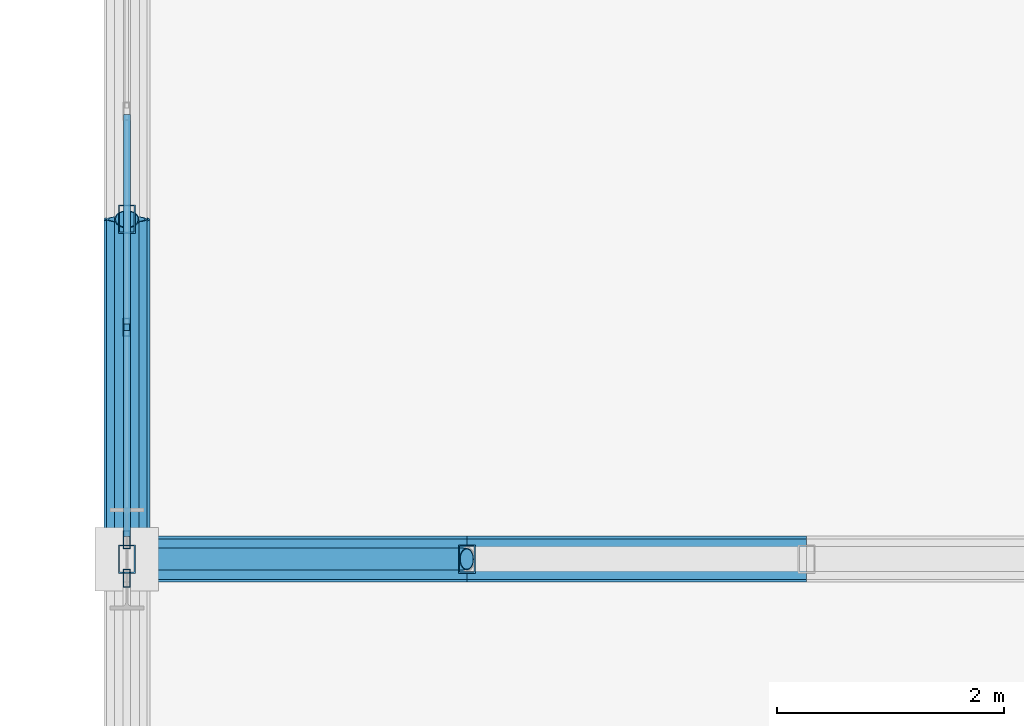
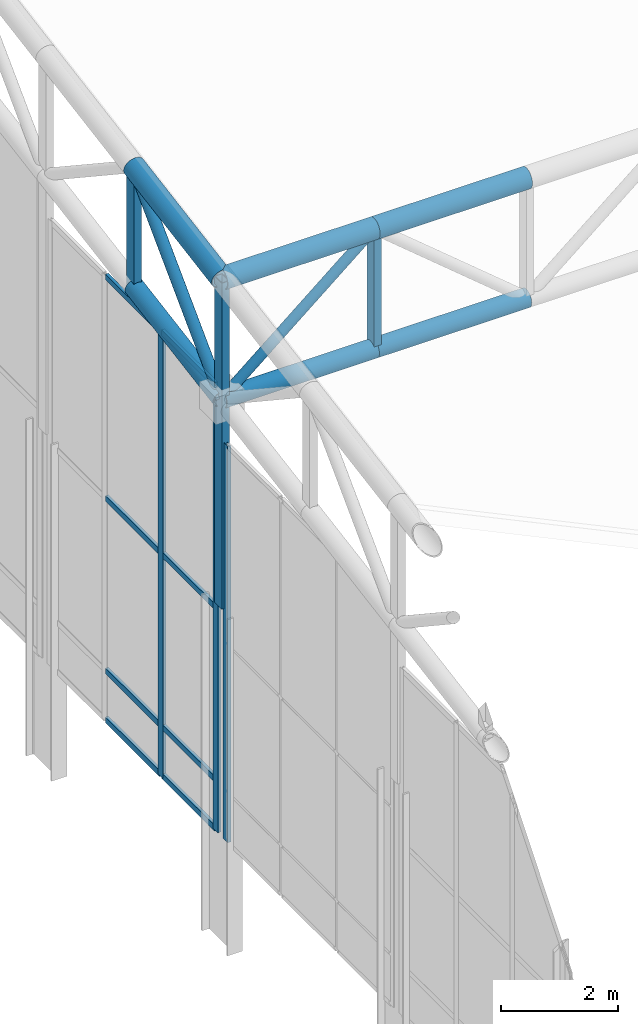
# One storey, part 75 of 239: 22 members, 2 elements without a shape of their own.
"""IFC4 building model written with IfcOpenShell, lengths in metres."""

from ifc_helpers import new_model, si_unit, direction, frame, origin, origin_2d, place, context, subcontext, project, spatial, hollow_rectangle, hollow_circle, extrude, material, material_profile, profile_set, type_object, element, aggregate, save


model = new_model("IFC4")

# Units and contexts
model_context = context("Model", 3, precision=1e-05, world=origin(), true_north=direction((0.0, 1.0)))
body_context = subcontext(model_context, "Body", "Model", "MODEL_VIEW")
ifc_project = project(units=[si_unit("LENGTHUNIT", "METRE"), si_unit("AREAUNIT", "SQUARE_METRE"), si_unit("VOLUMEUNIT", "CUBIC_METRE"), si_unit("PLANEANGLEUNIT", "RADIAN"), si_unit("MASSUNIT", "GRAM", prefix="KILO")], contexts=[model_context])

# Site, building, storey
site_placement = place(None, origin())
site = spatial("IfcSite", under=ifc_project, at=site_placement, CompositionType="ELEMENT")
building_placement = place(site_placement, origin())
building = spatial("IfcBuilding", under=site, at=building_placement, Name="Kaldris Quays Convention Centre", CompositionType="ELEMENT")
storey_placement = place(building_placement, frame((0.0, 0.0, 11.39990234375)))
storey = spatial("IfcBuildingStorey", under=building, at=storey_placement, Name="L02", CompositionType="ELEMENT", Elevation=11.39990234375)

# Curtain wall, member
ifc_material_1 = material(Name="Anodized aluminium AW-6060 and triple glazing", Category="aluminium")
curtain_wall_type = type_object("IfcCurtainWallType", Name="UNITISED CURTAIN WALL CW03", PredefinedType="NOTDEFINED", material=ifc_material_1)
curtain_wall_1_placement = place(storey_placement, origin())
curtain_wall_1 = element("IfcCurtainWall", 1, at=curtain_wall_1_placement, inside=storey, type_object=curtain_wall_type, Name="L02 Unitised Curtain Wall CW03 216", PredefinedType="NOTDEFINED")
ifc_material_2 = material(Name="Anodized aluminium AW-6060", Category="aluminium")
ifc_material_profile_1 = material_profile(ifc_material_2, hollow_rectangle(XDim=0.06005859375, YDim=0.159912109375, WallThickness=0.00390625, at=origin_2d()), Name="RHS 160x60x4")
ifc_profile_set_1 = profile_set([ifc_material_profile_1], Name="Anodized aluminium AW-6060")
member_type_1 = type_object("IfcMemberType", Name="CURTAIN MULLION CWM1", PredefinedType="MULLION", material=ifc_profile_set_1)
member_1_placement = place(storey_placement, frame((20.0, 79.830078125, 2.195068359375), z_axis=(0.0, 0.0, 1.0), x_axis=(-1.0, 0.0, 0.0)))
member_1 = element("IfcMember", 2, at=member_1_placement, type_object=member_type_1, Name="CW03 mullion 4", PredefinedType="MULLION", context=body_context, shape_type="SweptSolid", body=[
    extrude(hollow_rectangle(XDim=0.06005859375, YDim=0.159912109375, WallThickness=0.00390625, at=origin_2d()), origin(), (0.0, 0.0, 1.0), 8.255126953125),
])
aggregate(curtain_wall_1, [member_1])

# Curtain wall, members
curtain_wall_2_placement = place(storey_placement, origin())
curtain_wall_2 = element("IfcCurtainWall", 3, at=curtain_wall_2_placement, inside=storey, type_object=curtain_wall_type, Name="L02 Unitised Curtain Wall CW03 217", PredefinedType="NOTDEFINED")
member_2_placement = place(storey_placement, frame((20.0, 80.169921875, 2.195068359375), z_axis=(0.0, 0.0, 1.0), x_axis=(-1.0, 0.0, 0.0)))
member_2 = element("IfcMember", 4, at=member_2_placement, type_object=member_type_1, Name="CW03 mullion 1", PredefinedType="MULLION", context=body_context, shape_type="SweptSolid", body=[
    extrude(hollow_rectangle(XDim=0.06005859375, YDim=0.159912109375, WallThickness=0.00390625, at=origin_2d()), origin(), (0.0, 0.0, 1.0), 9.283935546875),
])
member_3_placement = place(storey_placement, frame((20.0, 82.046630859375, 2.195068359375), z_axis=(0.0, 0.0, 1.0), x_axis=(-1.0, 0.0, 0.0)))
member_3 = element("IfcMember", 5, at=member_3_placement, type_object=member_type_1, Name="CW03 mullion 2", PredefinedType="MULLION", context=body_context, shape_type="SweptSolid", body=[
    extrude(hollow_rectangle(XDim=0.06005859375, YDim=0.159912109375, WallThickness=0.00390625, at=origin_2d()), origin(), (0.0, 0.0, 1.0), 9.283935546875),
])
ifc_material_profile_2 = material_profile(ifc_material_2, hollow_rectangle(XDim=0.06005859375, YDim=0.1201171875, WallThickness=0.00390625, at=origin_2d()), Name="RHS 120x60x4")
ifc_profile_set_2 = profile_set([ifc_material_profile_2], Name="Anodized aluminium AW-6060")
member_type_2 = type_object("IfcMemberType", Name="CURTAIN TRANSOM CWT1", PredefinedType="USERDEFINED", material=ifc_profile_set_2)
member_4_placement = place(storey_placement, frame((20.0, 80.199951171875, 2.22509765625), z_axis=(0.0, 1.0, 0.0), x_axis=(-1.0, 0.0, 0.0)))
member_4 = element("IfcMember", 6, at=member_4_placement, type_object=member_type_2, Name="CW03 transom 1.1", ObjectType="TRANSOM", PredefinedType="USERDEFINED", context=body_context, shape_type="SweptSolid", body=[
    extrude(hollow_rectangle(XDim=0.06005859375, YDim=0.1201171875, WallThickness=0.00390625, at=origin_2d()), origin(), (0.0, 0.0, 1.0), 1.816650390625),
])
member_5_placement = place(storey_placement, frame((20.0, 80.199951171875, 3.2451171875), z_axis=(0.0, 1.0, 0.0), x_axis=(-1.0, 0.0, 0.0)))
member_5 = element("IfcMember", 7, at=member_5_placement, type_object=member_type_2, Name="CW03 transom 1.2", ObjectType="TRANSOM", PredefinedType="USERDEFINED", context=body_context, shape_type="SweptSolid", body=[
    extrude(hollow_rectangle(XDim=0.06005859375, YDim=0.1201171875, WallThickness=0.00390625, at=origin_2d()), origin(), (0.0, 0.0, 1.0), 1.816650390625),
])
member_6_placement = place(storey_placement, frame((20.0, 80.199951171875, 6.837158203125), z_axis=(0.0, 1.0, 0.0), x_axis=(-1.0, 0.0, 0.0)))
member_6 = element("IfcMember", 8, at=member_6_placement, type_object=member_type_2, Name="CW03 transom 1.3", ObjectType="TRANSOM", PredefinedType="USERDEFINED", context=body_context, shape_type="SweptSolid", body=[
    extrude(hollow_rectangle(XDim=0.06005859375, YDim=0.1201171875, WallThickness=0.00390625, at=origin_2d()), origin(), (0.0, 0.0, 1.0), 1.816650390625),
])
member_7_placement = place(storey_placement, frame((20.0, 80.199951171875, 11.44921875), z_axis=(0.0, 1.0, 0.0), x_axis=(-1.0, 0.0, 0.0)))
member_7 = element("IfcMember", 9, at=member_7_placement, type_object=member_type_2, Name="CW03 transom 1.4", ObjectType="TRANSOM", PredefinedType="USERDEFINED", context=body_context, shape_type="SweptSolid", body=[
    extrude(hollow_rectangle(XDim=0.06005859375, YDim=0.1201171875, WallThickness=0.00390625, at=origin_2d()), origin(), (0.0, 0.0, 1.0), 1.816650390625),
])
member_8_placement = place(storey_placement, frame((20.0, 82.07666015625, 2.22509765625), z_axis=(0.0, 1.0, 0.0), x_axis=(-1.0, 0.0, 0.0)))
member_8 = element("IfcMember", 10, at=member_8_placement, type_object=member_type_2, Name="CW03 transom 2.1", ObjectType="TRANSOM", PredefinedType="USERDEFINED", context=body_context, shape_type="SweptSolid", body=[
    extrude(hollow_rectangle(XDim=0.06005859375, YDim=0.1201171875, WallThickness=0.00390625, at=origin_2d()), origin(), (0.0, 0.0, 1.0), 1.8466796875),
])
member_9_placement = place(storey_placement, frame((20.0, 82.07666015625, 3.2451171875), z_axis=(0.0, 1.0, 0.0), x_axis=(-1.0, 0.0, 0.0)))
member_9 = element("IfcMember", 11, at=member_9_placement, type_object=member_type_2, Name="CW03 transom 2.2", ObjectType="TRANSOM", PredefinedType="USERDEFINED", context=body_context, shape_type="SweptSolid", body=[
    extrude(hollow_rectangle(XDim=0.06005859375, YDim=0.1201171875, WallThickness=0.00390625, at=origin_2d()), origin(), (0.0, 0.0, 1.0), 1.8466796875),
])
member_10_placement = place(storey_placement, frame((20.0, 82.07666015625, 6.837158203125), z_axis=(0.0, 1.0, 0.0), x_axis=(-1.0, 0.0, 0.0)))
member_10 = element("IfcMember", 12, at=member_10_placement, type_object=member_type_2, Name="CW03 transom 2.3", ObjectType="TRANSOM", PredefinedType="USERDEFINED", context=body_context, shape_type="SweptSolid", body=[
    extrude(hollow_rectangle(XDim=0.06005859375, YDim=0.1201171875, WallThickness=0.00390625, at=origin_2d()), origin(), (0.0, 0.0, 1.0), 1.8466796875),
])
member_11_placement = place(storey_placement, frame((20.0, 82.07666015625, 11.44921875), z_axis=(0.0, 1.0, 0.0), x_axis=(-1.0, 0.0, 0.0)))
member_11 = element("IfcMember", 13, at=member_11_placement, type_object=member_type_2, Name="CW03 transom 2.4", ObjectType="TRANSOM", PredefinedType="USERDEFINED", context=body_context, shape_type="SweptSolid", body=[
    extrude(hollow_rectangle(XDim=0.06005859375, YDim=0.1201171875, WallThickness=0.00390625, at=origin_2d()), origin(), (0.0, 0.0, 1.0), 1.8466796875),
])
aggregate(curtain_wall_2, [member_2, member_3, member_4, member_5, member_6, member_7, member_8, member_9, member_10, member_11])

# Members
ifc_material_3 = material(Name="Steel S355J2H", Category="steel")
ifc_material_profile_3 = material_profile(ifc_material_3, hollow_circle(Radius=0.203125, WallThickness=0.01611328125, at=origin_2d()), Name="CHS 406.4x16")
ifc_profile_set_3 = profile_set([ifc_material_profile_3], Name="Steel S355J2H")
member_type_3 = type_object("IfcMemberType", Name="STRUCTURAL MEMBER SC01", PredefinedType="CHORD", material=ifc_profile_set_3)
for number, where, z_axis, x_axis, name in (
    (14, (20.0, 80.0, 13.7861328125), (1.0, 0.0, 0.0), (0.0, 1.0, 0.0), "SF-V1 Top Chord X 85"),
    (15, (23.0, 80.0, 13.7861328125), (1.0, 0.0, 0.0), (0.0, 1.0, 0.0), "SF-V1 Top Chord X 86"),
):
    element("IfcMember", number, at=place(storey_placement, frame(where, z_axis=z_axis, x_axis=x_axis)), inside=storey, type_object=member_type_3, Name=name, PredefinedType="CHORD", context=body_context, shape_type="SweptSolid", body=[
        extrude(hollow_circle(Radius=0.203125, WallThickness=0.01611328125, at=origin_2d()), origin(), (0.0, 0.0, 1.0), 3.0),
    ])
member_12_placement = place(storey_placement, frame((20.0, 80.0, 13.7861328125), z_axis=(0.0, 0.985615766076, 0.169001661712), x_axis=(-1.0, 0.0, 0.0)))
element("IfcMember", 16, at=member_12_placement, inside=storey, type_object=member_type_3, Name="SF-V1 Top Chord Y 345", PredefinedType="CHORD", context=body_context, shape_type="SweptSolid", body=[
    extrude(hollow_circle(Radius=0.203125, WallThickness=0.01611328125, at=origin_2d()), origin(), (0.0, 0.0, 1.0), 3.043701171875),
])
ifc_material_profile_4 = material_profile(ifc_material_3, hollow_circle(Radius=0.177734375, WallThickness=0.01611328125, at=origin_2d()), Name="CHS 355.6x16")
ifc_profile_set_4 = profile_set([ifc_material_profile_4], Name="Steel S355J2H")
member_type_4 = type_object("IfcMemberType", Name="STRUCTURAL MEMBER SC02", PredefinedType="CHORD", material=ifc_profile_set_4)
for number, where, z_axis, x_axis, name in (
    (17, (20.0, 80.0, 11.2861328125), (1.0, 0.0, 0.0), (0.0, 1.0, 0.0), "SF-V1 Bottom Chord X 85"),
    (18, (23.0, 80.0, 11.2861328125), (1.0, 0.0, 0.0), (0.0, 1.0, 0.0), "SF-V1 Bottom Chord X 86"),
):
    element("IfcMember", number, at=place(storey_placement, frame(where, z_axis=z_axis, x_axis=x_axis)), inside=storey, type_object=member_type_4, Name=name, PredefinedType="CHORD", context=body_context, shape_type="SweptSolid", body=[
        extrude(hollow_circle(Radius=0.177734375, WallThickness=0.01611328125, at=origin_2d()), origin(), (0.0, 0.0, 1.0), 3.0),
    ])
member_13_placement = place(storey_placement, frame((20.0, 80.0, 11.2861328125), z_axis=(0.0, 0.985615766076, 0.169001661712), x_axis=(-1.0, 0.0, 0.0)))
element("IfcMember", 19, at=member_13_placement, inside=storey, type_object=member_type_4, Name="SF-V1 Bottom Chord Y 345", PredefinedType="CHORD", context=body_context, shape_type="SweptSolid", body=[
    extrude(hollow_circle(Radius=0.177734375, WallThickness=0.01611328125, at=origin_2d()), origin(), (0.0, 0.0, 1.0), 3.043701171875),
])
ifc_material_profile_5 = material_profile(ifc_material_3, hollow_circle(Radius=0.109619140625, WallThickness=0.010009765625, at=origin_2d()), Name="CHS 219.1x10")
ifc_profile_set_5 = profile_set([ifc_material_profile_5], Name="Steel S355J2H")
member_type_5 = type_object("IfcMemberType", Name="STRUCTURAL MEMBER SWB1", PredefinedType="BRACE", material=ifc_profile_set_5)
member_14_placement = place(storey_placement, frame((20.0, 80.0, 11.2861328125), z_axis=(0.0, 0.705411261057, 0.708798245465), x_axis=(-1.0, 0.0, 0.0)))
element("IfcMember", 20, at=member_14_placement, inside=storey, type_object=member_type_5, Name="SF-V1 Web Diagonal Y 345", PredefinedType="BRACE", context=body_context, shape_type="SweptSolid", body=[
    extrude(hollow_circle(Radius=0.109619140625, WallThickness=0.010009765625, at=origin_2d()), origin(), (0.0, 0.0, 1.0), 4.2529296875),
])
ifc_material_profile_6 = material_profile(ifc_material_3, hollow_circle(Radius=0.096923828125, WallThickness=0.008056640625, at=origin_2d()), Name="CHS 193.7x8")
ifc_profile_set_6 = profile_set([ifc_material_profile_6], Name="Steel S355J2H")
member_type_6 = type_object("IfcMemberType", Name="STRUCTURAL MEMBER SWB3", PredefinedType="BRACE", material=ifc_profile_set_6)
member_15_placement = place(storey_placement, frame((20.0, 80.0, 11.2861328125), z_axis=(0.768221279597, 0.0, 0.640184399664), x_axis=(0.0, 1.0, 0.0)))
element("IfcMember", 21, at=member_15_placement, inside=storey, type_object=member_type_6, Name="SF-V1 Web Diagonal X 85", PredefinedType="BRACE", context=body_context, shape_type="SweptSolid", body=[
    extrude(hollow_circle(Radius=0.096923828125, WallThickness=0.008056640625, at=origin_2d()), origin(), (0.0, 0.0, 1.0), 3.905029296875),
])
ifc_material_profile_7 = material_profile(ifc_material_3, hollow_rectangle(XDim=0.14990234375, YDim=0.25, WallThickness=0.010009765625, at=origin_2d()), Name="RHS 250x150x10")
ifc_profile_set_7 = profile_set([ifc_material_profile_7], Name="Steel S355J2H")
member_type_7 = type_object("IfcMemberType", Name="STRUCTURAL MEMBER TTV1", PredefinedType="POST", material=ifc_profile_set_7)
member_16_placement = place(storey_placement, frame((20.0, 80.0, 6.994140625), z_axis=(0.0, 0.0, 1.0), x_axis=(1.0, 0.0, 0.0)))
element("IfcMember", 22, at=member_16_placement, inside=storey, type_object=member_type_7, Name="SF-V1 Space-Frame Post 9", PredefinedType="POST", context=body_context, shape_type="SweptSolid", body=[
    extrude(hollow_rectangle(XDim=0.14990234375, YDim=0.25, WallThickness=0.010009765625, at=origin_2d()), origin(), (0.0, 0.0, 1.0), 6.7919921875),
])
for number, where, z_axis, x_axis, name in (
    (23, (20.0, 83.0, 11.800537109375), (0.0, 0.0, 1.0), (1.0, 0.0, 0.0), "SF-V1 Space-Frame Post 10"),
    (24, (23.0, 80.0, 11.2861328125), (0.0, 0.0, 1.0), (1.0, 0.0, 0.0), "SF-V1 Space-Frame Post 32"),
):
    element("IfcMember", number, at=place(storey_placement, frame(where, z_axis=z_axis, x_axis=x_axis)), inside=storey, type_object=member_type_7, Name=name, PredefinedType="POST", context=body_context, shape_type="SweptSolid", body=[
        extrude(hollow_rectangle(XDim=0.14990234375, YDim=0.25, WallThickness=0.010009765625, at=origin_2d()), origin(), (0.0, 0.0, 1.0), 2.5),
    ])

save(model, "model.ifc")
